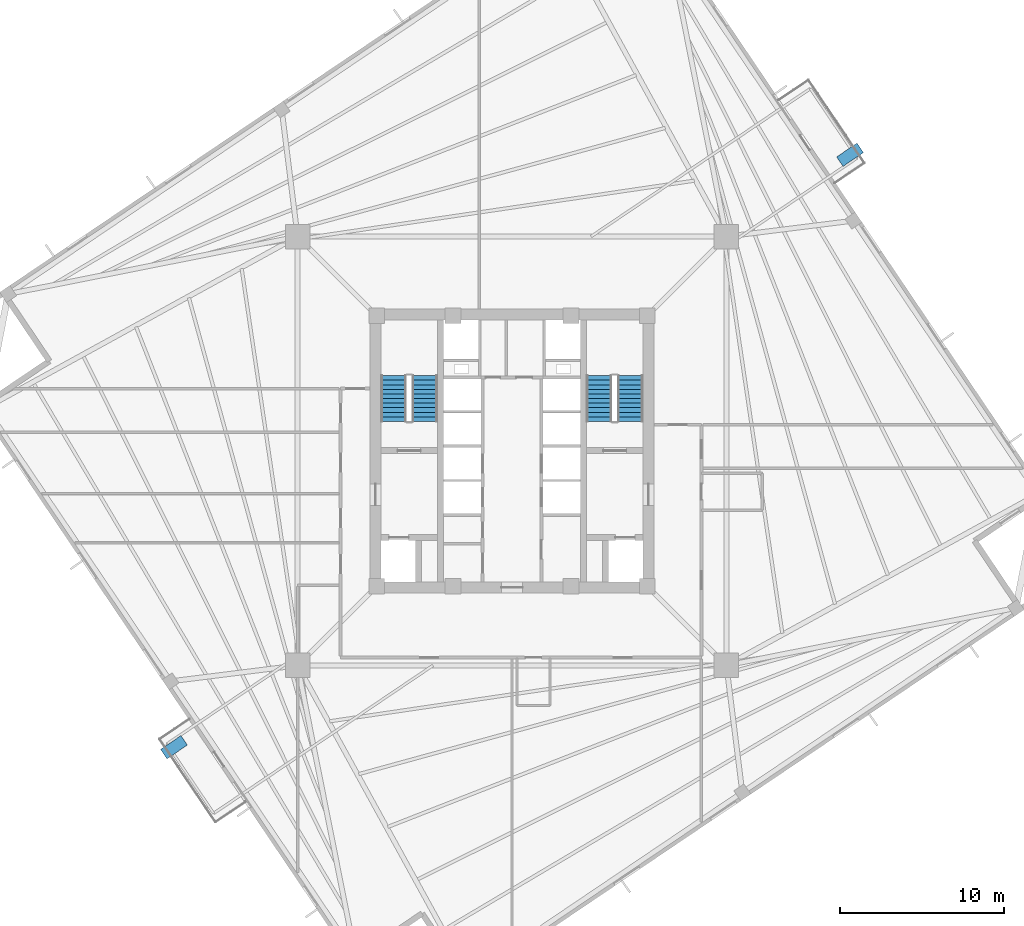
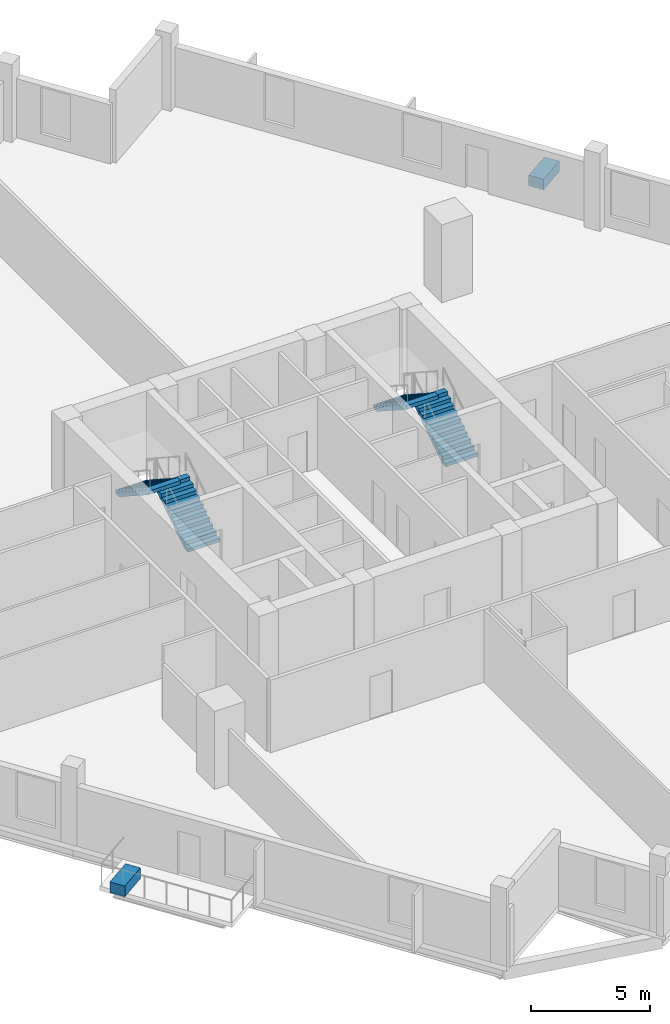
# One storey, part 6 of 9: 4 stair flights, 2 discrete accessories, 2 elements without a shape of their own.
"""IFC4 building model written with IfcOpenShell, lengths in metres."""

from ifc_helpers import new_model, si_unit, direction, frame, origin, origin_2d, place, context, subcontext, project, spatial, polyline, rectangle, outline, extrude, source, transform, mapped, material, type_object, element, aggregate, save


model = new_model("IFC4")

# Units and contexts
model_context = context("Model", 3, precision=1e-05, world=origin(), true_north=direction((0.0, 1.0)))
body_context = subcontext(model_context, "Body", "Model", "MODEL_VIEW")
ifc_project = project(units=[si_unit("LENGTHUNIT", "METRE"), si_unit("AREAUNIT", "SQUARE_METRE"), si_unit("VOLUMEUNIT", "CUBIC_METRE"), si_unit("PLANEANGLEUNIT", "RADIAN"), si_unit("MASSUNIT", "GRAM", prefix="KILO"), si_unit("THERMODYNAMICTEMPERATUREUNIT", "KELVIN")], contexts=[model_context])

# Site, building, storey
site_placement = place(None, origin())
site = spatial("IfcSite", under=ifc_project, at=site_placement, CompositionType="ELEMENT")
building_placement = place(site_placement, origin())
building = spatial("IfcBuilding", under=site, at=building_placement, Name="Kosmvard Interchange Tower", CompositionType="ELEMENT")
storey_placement = place(building_placement, frame((0.0, 0.0, 180.39990234375)))
storey = spatial("IfcBuildingStorey", under=building, at=storey_placement, Name="L43", CompositionType="ELEMENT", Elevation=180.39990234375)

# Stair, stair flights
ifc_material_1 = material(Name="Concrete C50/60", Category="concrete")
stair_type = type_object("IfcStairType", Name="Dog-Leg Core Exit Stair H4000 C50/60", PredefinedType="HALF_TURN_STAIR", material=ifc_material_1)
stair_1_placement = place(storey_placement, origin())
stair_1 = element("IfcStair", 1, at=stair_1_placement, inside=storey, type_object=stair_type, Name="L43 Protected Exit Stair ST-1", PredefinedType="HALF_TURN_STAIR")
stair_flight_type = type_object("IfcStairFlightType", Name="Core Stair Flight W1550 H4000 C50/60", PredefinedType="STRAIGHT", material=ifc_material_1)
shared_shape_1 = source(origin(), body_context, "Body", "SweptSolid", [
    extrude(outline(polyline([(0.0, 0.0), (0.0, 0.181884765625), (0.280029296875, 0.181884765625), (0.280029296875, 0.363525390625), (0.56005859375, 0.363525390625), (0.56005859375, 0.54541015625), (0.840087890625, 0.54541015625), (0.840087890625, 0.727294921875), (1.1201171875, 0.727294921875), (1.1201171875, 0.9091796875), (1.39990234375, 0.9091796875), (1.39990234375, 1.0908203125), (1.679931640625, 1.0908203125), (1.679931640625, 1.272705078125), (1.9599609375, 1.272705078125), (1.9599609375, 1.45458984375), (2.239990234375, 1.45458984375), (2.239990234375, 1.636474609375), (2.52001953125, 1.636474609375), (2.52001953125, 1.818115234375), (2.800048828125, 1.818115234375), (2.800048828125, 2.0), (2.800048828125, 1.62744140625), (0.293701171875, 0.0), (0.0, 0.0)])), frame((0.0, 0.77490234375, 0.0), z_axis=(0.0, -1.0, 0.0), x_axis=(1.0, 0.0, 0.0)), (0.0, 0.0, 1.0), 1.550048828125),
])
stair_flight_1_placement = place(storey_placement, frame((-5.31494140625, 1.800048828125, 0.0), z_axis=(0.0, 0.0, 1.0), x_axis=(0.0, 1.0, 0.0)))
stair_flight_1 = element("IfcStairFlight", 2, at=stair_flight_1_placement, type_object=stair_flight_type, Name="ST-1 flight 1", NumberOfRisers=11, NumberOfTreads=10, PredefinedType="STRAIGHT", RiserHeight=0.181818182, TreadLength=0.28, context=body_context, shape_type="MappedRepresentation", body=[
    mapped(shared_shape_1, transform((0.0, 0.0, 0.0), scale=1.0)),
])
stair_flight_2_placement = place(storey_placement, frame((-7.22509765625, 4.60009765625, 2.0), z_axis=(0.0, 0.0, 1.0), x_axis=(0.0, -1.0, 0.0)))
stair_flight_2 = element("IfcStairFlight", 3, at=stair_flight_2_placement, type_object=stair_flight_type, Name="ST-1 flight 2", NumberOfRisers=11, NumberOfTreads=10, PredefinedType="STRAIGHT", RiserHeight=0.181818182, TreadLength=0.28, context=body_context, shape_type="MappedRepresentation", body=[
    mapped(shared_shape_1, transform((0.0, 0.0, 0.0), scale=1.0)),
])
aggregate(stair_1, [stair_flight_1, stair_flight_2])

stair_2_placement = place(storey_placement, origin())
stair_2 = element("IfcStair", 4, at=stair_2_placement, inside=storey, type_object=stair_type, Name="L43 Protected Exit Stair ST-2", PredefinedType="HALF_TURN_STAIR")
stair_flight_3_placement = place(storey_placement, frame((7.22509765625, 1.800048828125, 0.0), z_axis=(0.0, 0.0, 1.0), x_axis=(0.0, 1.0, 0.0)))
stair_flight_3 = element("IfcStairFlight", 5, at=stair_flight_3_placement, type_object=stair_flight_type, Name="ST-2 flight 1", NumberOfRisers=11, NumberOfTreads=10, PredefinedType="STRAIGHT", RiserHeight=0.181818182, TreadLength=0.28, context=body_context, shape_type="MappedRepresentation", body=[
    mapped(shared_shape_1, transform((0.0, 0.0, 0.0), scale=1.0)),
])
stair_flight_4_placement = place(storey_placement, frame((5.31494140625, 4.60009765625, 2.0), z_axis=(0.0, 0.0, 1.0), x_axis=(0.0, -1.0, 0.0)))
stair_flight_4 = element("IfcStairFlight", 6, at=stair_flight_4_placement, type_object=stair_flight_type, Name="ST-2 flight 2", NumberOfRisers=11, NumberOfTreads=10, PredefinedType="STRAIGHT", RiserHeight=0.181818182, TreadLength=0.28, context=body_context, shape_type="MappedRepresentation", body=[
    mapped(shared_shape_1, transform((0.0, 0.0, 0.0), scale=1.0)),
])
aggregate(stair_2, [stair_flight_3, stair_flight_4])

# Discrete accessories
ifc_material_2 = material(Name="Terracotta precast planter concrete C45/55", Category="masonry")
discrete_accessory_type = type_object("IfcDiscreteAccessoryType", Name="Precast Tree-Balcony & Terrace Planter Box", PredefinedType="USERDEFINED", material=ifc_material_2)
shared_shape_2 = source(origin(), body_context, "Body", "SweptSolid", [
    extrude(rectangle(XDim=1.5, YDim=0.699951171875, at=origin_2d()), origin(), (0.0, 0.0, 1.0), 0.550048828125),
])
for number, where, z_axis, x_axis, name in (
    (7, (20.62060546875, 18.0703125, 0.0), (0.0, 0.0, 1.0), (0.829037572555, 0.559192903471, 0.0), "L43 Balcony Tree Planter BAL-L43-E"),
    (8, (-20.62060546875, -18.0703125, 0.0), (0.0, 0.0, 1.0), (0.829037572555, 0.559192903471, 0.0), "L43 Balcony Tree Planter BAL-L43-W"),
):
    element("IfcDiscreteAccessory", number, at=place(storey_placement, frame(where, z_axis=z_axis, x_axis=x_axis)), inside=storey, type_object=discrete_accessory_type, Name=name, ObjectType="PLANTER", PredefinedType="USERDEFINED", context=body_context, shape_type="MappedRepresentation", body=[
        mapped(shared_shape_2, transform((0.0, 0.0, 0.0), scale=1.0)),
    ])

save(model, "model.ifc")
